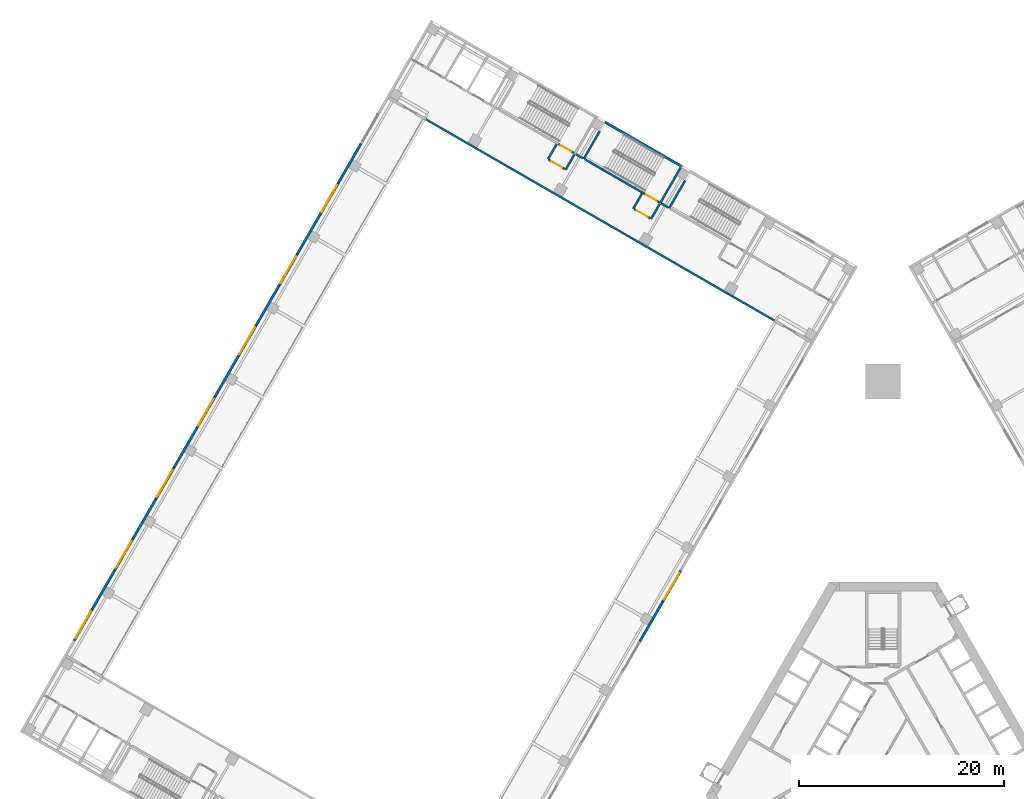
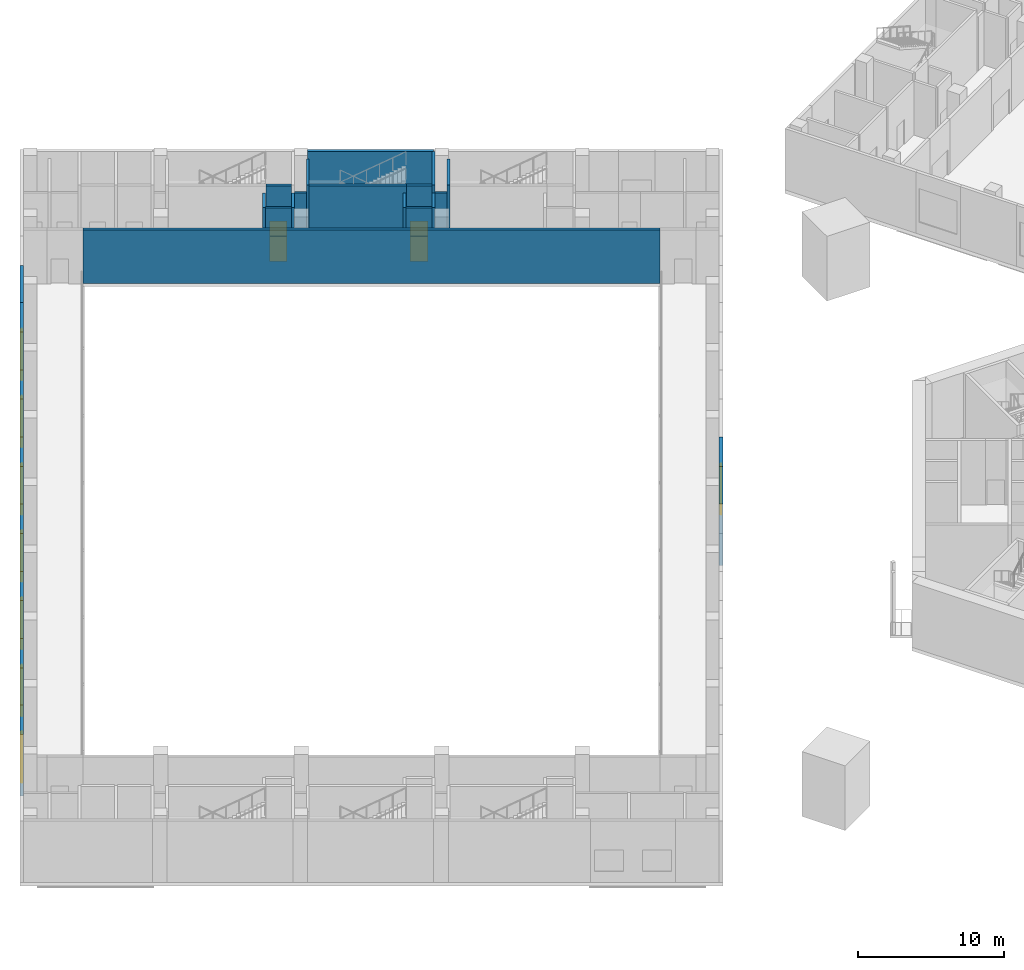
# One storey, part 16 of 35: 32 walls, 8 windows, 4 doors, 12 openings.
"""IFC4 building model written with IfcOpenShell, lengths in metres."""

from ifc_helpers import new_model, si_unit, direction, frame, frame_2d, origin, place, context, subcontext, project, spatial, rectangle, extrude, material, layer, layer_set, type_object, element, fill, save


model = new_model("IFC4")

# Units and contexts
model_context = context("Model", 3, precision=1e-05, world=origin(), true_north=direction((0.0, 1.0)))
body_context = subcontext(model_context, "Body", "Model", "MODEL_VIEW")
ifc_project = project(units=[si_unit("LENGTHUNIT", "METRE"), si_unit("AREAUNIT", "SQUARE_METRE"), si_unit("VOLUMEUNIT", "CUBIC_METRE"), si_unit("PLANEANGLEUNIT", "RADIAN"), si_unit("MASSUNIT", "GRAM", prefix="KILO")], contexts=[model_context])

# Site, building, storey
site_placement = place(None, origin())
site = spatial("IfcSite", under=ifc_project, at=site_placement, CompositionType="ELEMENT")
building_placement = place(site_placement, origin())
building = spatial("IfcBuilding", under=site, at=building_placement, Name="Mestral Congress Tower", CompositionType="ELEMENT")
storey_placement = place(building_placement, frame((0.0, 0.0, 6.0)))
storey = spatial("IfcBuildingStorey", under=building, at=storey_placement, Name="L01", CompositionType="ELEMENT", Elevation=6.0)

# Wall, opening, window
ifc_material_1 = material(Name="Precast concrete C40/50 with limestone facing", Category="masonry")
ifc_layer_1 = layer(ifc_material_1, 0.25)
ifc_layer_set_1 = layer_set([ifc_layer_1], Name="Precast concrete C40/50 with limestone facing")
wall_type_1 = type_object("IfcWallType", Name="Podium external wall 250", PredefinedType="SOLIDWALL", material=ifc_layer_set_1)
wall_1_placement = place(storey_placement, frame((-19.6875, 18.006103515625, 0.0), z_axis=(0.0, 0.0, 1.0), x_axis=(-0.500010275428, -0.866019471182, 0.0)))
wall_1 = element("IfcWall", 1, at=wall_1_placement, inside=storey, type_object=wall_type_1, Name="L01 external wall", PredefinedType="SOLIDWALL", context=body_context, shape_type="SweptSolid", body=[
    extrude(rectangle(XDim=3.5, YDim=0.25, at=frame_2d((1.75, 0.0))), origin(), (0.0, 0.0, 1.0), 5.10009765625),
])
opening_1_placement = place(wall_1_placement, frame((0.25, 0.0, 0.89990234375)))
opening_1 = element("IfcOpeningElement", 2, at=opening_1_placement, cuts=wall_1, Name="Opening PW-3000x2200", PredefinedType="OPENING", context=body_context, shape_type="SweptSolid", body=[
    extrude(rectangle(XDim=3.0, YDim=2.199951171875, at=frame_2d((1.5, 1.10009765625))), frame((0.0, 0.135009765625, 0.0), z_axis=(0.0, -1.0, 0.0), x_axis=(1.0, 0.0, 0.0)), (0.0, 0.0, 1.0), 0.27001953125),
])
ifc_material_2 = material(Name="Aluminium frame, clear double glazing", Category="aluminium")
window_type = type_object("IfcWindowType", Name="Podium window 3000x2200 sill 900", PartitioningType="SINGLE_PANEL", PredefinedType="WINDOW", material=ifc_material_2)
window_1_placement = place(opening_1_placement, origin())
window_1 = element("IfcWindow", 3, at=window_1_placement, inside=storey, type_object=window_type, Name="Window", OverallHeight=2.199951171875, OverallWidth=3.0, PartitioningType="SINGLE_PANEL", PredefinedType="WINDOW", context=body_context, shape_type="SweptSolid", body=[
    extrude(rectangle(XDim=3.0, YDim=2.199951171875, at=frame_2d((1.5, 1.10009765625))), frame((0.0, 0.030029296875, 0.0), z_axis=(0.0, -1.0, 0.0), x_axis=(1.0, 0.0, 0.0)), (0.0, 0.0, 1.0), 0.06005859375),
])
fill(opening_1, window_1)

# Walls
wall_2_placement = place(storey_placement, frame((-21.4375, 14.97509765625, 0.0), z_axis=(0.0, 0.0, 1.0), x_axis=(-0.499990139034, -0.866031096941, 0.0)))
element("IfcWall", 4, at=wall_2_placement, inside=storey, type_object=wall_type_1, Name="L01 external wall", PredefinedType="SOLIDWALL", context=body_context, shape_type="SweptSolid", body=[
    extrude(rectangle(XDim=4.5, YDim=0.25, at=frame_2d((2.25, 0.0))), origin(), (0.0, 0.0, 1.0), 5.10009765625),
])
wall_3_placement = place(storey_placement, frame((-53.040283203125, 55.737548828125, 0.0), z_axis=(0.0, 0.0, 1.0), x_axis=(0.499990705068, 0.866030770149, 0.0)))
element("IfcWall", 5, at=wall_3_placement, inside=storey, type_object=wall_type_1, Name="L01 external wall", PredefinedType="SOLIDWALL", context=body_context, shape_type="SweptSolid", body=[
    extrude(rectangle(XDim=4.43798828125, YDim=0.25, at=frame_2d((2.218994140625, 0.0))), origin(), (0.0, 0.0, 1.0), 5.10009765625),
])

# Wall, opening, window
wall_4_placement = place(storey_placement, frame((-54.790283203125, 52.706298828125, 0.0), z_axis=(0.0, 0.0, 1.0), x_axis=(0.499980071345, 0.866036909293, 0.0)))
wall_4 = element("IfcWall", 6, at=wall_4_placement, inside=storey, type_object=wall_type_1, Name="L01 external wall", PredefinedType="SOLIDWALL", context=body_context, shape_type="SweptSolid", body=[
    extrude(rectangle(XDim=3.500244140625, YDim=0.25, at=frame_2d((1.75, 0.0))), origin(), (0.0, 0.0, 1.0), 5.10009765625),
])
opening_2_placement = place(wall_4_placement, frame((0.25, 0.0, 0.89990234375)))
opening_2 = element("IfcOpeningElement", 7, at=opening_2_placement, cuts=wall_4, Name="Opening PW-3000x2200", PredefinedType="OPENING", context=body_context, shape_type="SweptSolid", body=[
    extrude(rectangle(XDim=3.0, YDim=2.199951171875, at=frame_2d((1.5, 1.10009765625))), frame((0.0, 0.135009765625, 0.0), z_axis=(0.0, -1.0, 0.0), x_axis=(1.0, 0.0, 0.0)), (0.0, 0.0, 1.0), 0.27001953125),
])
window_2_placement = place(opening_2_placement, origin())
window_2 = element("IfcWindow", 8, at=window_2_placement, inside=storey, type_object=window_type, Name="Window", OverallHeight=2.199951171875, OverallWidth=3.0, PartitioningType="SINGLE_PANEL", PredefinedType="WINDOW", context=body_context, shape_type="SweptSolid", body=[
    extrude(rectangle(XDim=3.0, YDim=2.199951171875, at=frame_2d((1.5, 1.10009765625))), frame((0.0, 0.030029296875, 0.0), z_axis=(0.0, -1.0, 0.0), x_axis=(1.0, 0.0, 0.0)), (0.0, 0.0, 1.0), 0.06005859375),
])
fill(opening_2, window_2)

# Wall
wall_5_placement = place(storey_placement, frame((-57.040283203125, 48.809326171875, 0.0), z_axis=(0.0, 0.0, 1.0), x_axis=(0.500013631625, 0.866017533419, 0.0)))
element("IfcWall", 9, at=wall_5_placement, inside=storey, type_object=wall_type_1, Name="L01 external wall", PredefinedType="SOLIDWALL", context=body_context, shape_type="SweptSolid", body=[
    extrude(rectangle(XDim=4.499755859375, YDim=0.25, at=frame_2d((2.25, 0.0))), origin(), (0.0, 0.0, 1.0), 5.10009765625),
])

# Wall, opening, window
wall_6_placement = place(storey_placement, frame((-58.790283203125, 45.7783203125, 0.0), z_axis=(0.0, 0.0, 1.0), x_axis=(0.500010275428, 0.866019471182, 0.0)))
wall_6 = element("IfcWall", 10, at=wall_6_placement, inside=storey, type_object=wall_type_1, Name="L01 external wall", PredefinedType="SOLIDWALL", context=body_context, shape_type="SweptSolid", body=[
    extrude(rectangle(XDim=3.5, YDim=0.25, at=frame_2d((1.75, 0.0))), origin(), (0.0, 0.0, 1.0), 5.10009765625),
])
opening_3_placement = place(wall_6_placement, frame((0.25, 0.0, 0.89990234375)))
opening_3 = element("IfcOpeningElement", 11, at=opening_3_placement, cuts=wall_6, Name="Opening PW-3000x2200", PredefinedType="OPENING", context=body_context, shape_type="SweptSolid", body=[
    extrude(rectangle(XDim=3.0, YDim=2.199951171875, at=frame_2d((1.5, 1.10009765625))), frame((0.0, 0.135009765625, 0.0), z_axis=(0.0, -1.0, 0.0), x_axis=(1.0, 0.0, 0.0)), (0.0, 0.0, 1.0), 0.27001953125),
])
window_3_placement = place(opening_3_placement, origin())
window_3 = element("IfcWindow", 12, at=window_3_placement, inside=storey, type_object=window_type, Name="Window", OverallHeight=2.199951171875, OverallWidth=3.0, PartitioningType="SINGLE_PANEL", PredefinedType="WINDOW", context=body_context, shape_type="SweptSolid", body=[
    extrude(rectangle(XDim=3.0, YDim=2.199951171875, at=frame_2d((1.5, 1.10009765625))), frame((0.0, 0.030029296875, 0.0), z_axis=(0.0, -1.0, 0.0), x_axis=(1.0, 0.0, 0.0)), (0.0, 0.0, 1.0), 0.06005859375),
])
fill(opening_3, window_3)

# Wall
wall_7_placement = place(storey_placement, frame((-61.040283203125, 41.881103515625, 0.0), z_axis=(0.0, 0.0, 1.0), x_axis=(0.499990139034, 0.866031096941, 0.0)))
element("IfcWall", 13, at=wall_7_placement, inside=storey, type_object=wall_type_1, Name="L01 external wall", PredefinedType="SOLIDWALL", context=body_context, shape_type="SweptSolid", body=[
    extrude(rectangle(XDim=4.5, YDim=0.25, at=frame_2d((2.25, 0.0))), origin(), (0.0, 0.0, 1.0), 5.10009765625),
])

# Wall, opening, window
wall_8_placement = place(storey_placement, frame((-62.790283203125, 38.85009765625, 0.0), z_axis=(0.0, 0.0, 1.0), x_axis=(0.500010275428, 0.866019471182, 0.0)))
wall_8 = element("IfcWall", 14, at=wall_8_placement, inside=storey, type_object=wall_type_1, Name="L01 external wall", PredefinedType="SOLIDWALL", context=body_context, shape_type="SweptSolid", body=[
    extrude(rectangle(XDim=3.5, YDim=0.25, at=frame_2d((1.75, 0.0))), origin(), (0.0, 0.0, 1.0), 5.10009765625),
])
opening_4_placement = place(wall_8_placement, frame((0.25, 0.0, 0.89990234375)))
opening_4 = element("IfcOpeningElement", 15, at=opening_4_placement, cuts=wall_8, Name="Opening PW-3000x2200", PredefinedType="OPENING", context=body_context, shape_type="SweptSolid", body=[
    extrude(rectangle(XDim=3.0, YDim=2.199951171875, at=frame_2d((1.5, 1.10009765625))), frame((0.0, 0.135009765625, 0.0), z_axis=(0.0, -1.0, 0.0), x_axis=(1.0, 0.0, 0.0)), (0.0, 0.0, 1.0), 0.27001953125),
])
window_4_placement = place(opening_4_placement, origin())
window_4 = element("IfcWindow", 16, at=window_4_placement, inside=storey, type_object=window_type, Name="Window", OverallHeight=2.199951171875, OverallWidth=3.0, PartitioningType="SINGLE_PANEL", PredefinedType="WINDOW", context=body_context, shape_type="SweptSolid", body=[
    extrude(rectangle(XDim=3.0, YDim=2.199951171875, at=frame_2d((1.5, 1.10009765625))), frame((0.0, 0.030029296875, 0.0), z_axis=(0.0, -1.0, 0.0), x_axis=(1.0, 0.0, 0.0)), (0.0, 0.0, 1.0), 0.06005859375),
])
fill(opening_4, window_4)

# Wall
wall_9_placement = place(storey_placement, frame((-65.040283203125, 34.952880859375, 0.0), z_axis=(0.0, 0.0, 1.0), x_axis=(0.499990139034, 0.866031096941, 0.0)))
element("IfcWall", 17, at=wall_9_placement, inside=storey, type_object=wall_type_1, Name="L01 external wall", PredefinedType="SOLIDWALL", context=body_context, shape_type="SweptSolid", body=[
    extrude(rectangle(XDim=4.5, YDim=0.25, at=frame_2d((2.25, 0.0))), origin(), (0.0, 0.0, 1.0), 5.10009765625),
])

# Wall, opening, window
wall_10_placement = place(storey_placement, frame((-66.790283203125, 31.921875, 0.0), z_axis=(0.0, 0.0, 1.0), x_axis=(0.500010275428, 0.866019471182, 0.0)))
wall_10 = element("IfcWall", 18, at=wall_10_placement, inside=storey, type_object=wall_type_1, Name="L01 external wall", PredefinedType="SOLIDWALL", context=body_context, shape_type="SweptSolid", body=[
    extrude(rectangle(XDim=3.5, YDim=0.25, at=frame_2d((1.75, 0.0))), origin(), (0.0, 0.0, 1.0), 5.10009765625),
])
opening_5_placement = place(wall_10_placement, frame((0.25, 0.0, 0.89990234375)))
opening_5 = element("IfcOpeningElement", 19, at=opening_5_placement, cuts=wall_10, Name="Opening PW-3000x2200", PredefinedType="OPENING", context=body_context, shape_type="SweptSolid", body=[
    extrude(rectangle(XDim=3.0, YDim=2.199951171875, at=frame_2d((1.5, 1.10009765625))), frame((0.0, 0.135009765625, 0.0), z_axis=(0.0, -1.0, 0.0), x_axis=(1.0, 0.0, 0.0)), (0.0, 0.0, 1.0), 0.27001953125),
])
window_5_placement = place(opening_5_placement, origin())
window_5 = element("IfcWindow", 20, at=window_5_placement, inside=storey, type_object=window_type, Name="Window", OverallHeight=2.199951171875, OverallWidth=3.0, PartitioningType="SINGLE_PANEL", PredefinedType="WINDOW", context=body_context, shape_type="SweptSolid", body=[
    extrude(rectangle(XDim=3.0, YDim=2.199951171875, at=frame_2d((1.5, 1.10009765625))), frame((0.0, 0.030029296875, 0.0), z_axis=(0.0, -1.0, 0.0), x_axis=(1.0, 0.0, 0.0)), (0.0, 0.0, 1.0), 0.06005859375),
])
fill(opening_5, window_5)

# Wall
wall_11_placement = place(storey_placement, frame((-69.040283203125, 28.024658203125, 0.0), z_axis=(0.0, 0.0, 1.0), x_axis=(0.499990139034, 0.866031096941, 0.0)))
element("IfcWall", 21, at=wall_11_placement, inside=storey, type_object=wall_type_1, Name="L01 external wall", PredefinedType="SOLIDWALL", context=body_context, shape_type="SweptSolid", body=[
    extrude(rectangle(XDim=4.5, YDim=0.25, at=frame_2d((2.25, 0.0))), origin(), (0.0, 0.0, 1.0), 5.10009765625),
])

# Wall, opening, window
wall_12_placement = place(storey_placement, frame((-70.790283203125, 24.99365234375, 0.0), z_axis=(0.0, 0.0, 1.0), x_axis=(0.500010275428, 0.866019471182, 0.0)))
wall_12 = element("IfcWall", 22, at=wall_12_placement, inside=storey, type_object=wall_type_1, Name="L01 external wall", PredefinedType="SOLIDWALL", context=body_context, shape_type="SweptSolid", body=[
    extrude(rectangle(XDim=3.5, YDim=0.25, at=frame_2d((1.75, 0.0))), origin(), (0.0, 0.0, 1.0), 5.10009765625),
])
opening_6_placement = place(wall_12_placement, frame((0.25, 0.0, 0.89990234375)))
opening_6 = element("IfcOpeningElement", 23, at=opening_6_placement, cuts=wall_12, Name="Opening PW-3000x2200", PredefinedType="OPENING", context=body_context, shape_type="SweptSolid", body=[
    extrude(rectangle(XDim=3.0, YDim=2.199951171875, at=frame_2d((1.5, 1.10009765625))), frame((0.0, 0.135009765625, 0.0), z_axis=(0.0, -1.0, 0.0), x_axis=(1.0, 0.0, 0.0)), (0.0, 0.0, 1.0), 0.27001953125),
])
window_6_placement = place(opening_6_placement, origin())
window_6 = element("IfcWindow", 24, at=window_6_placement, inside=storey, type_object=window_type, Name="Window", OverallHeight=2.199951171875, OverallWidth=3.0, PartitioningType="SINGLE_PANEL", PredefinedType="WINDOW", context=body_context, shape_type="SweptSolid", body=[
    extrude(rectangle(XDim=3.0, YDim=2.199951171875, at=frame_2d((1.5, 1.10009765625))), frame((0.0, 0.030029296875, 0.0), z_axis=(0.0, -1.0, 0.0), x_axis=(1.0, 0.0, 0.0)), (0.0, 0.0, 1.0), 0.06005859375),
])
fill(opening_6, window_6)

# Wall
wall_13_placement = place(storey_placement, frame((-73.040283203125, 21.096435546875, 0.0), z_axis=(0.0, 0.0, 1.0), x_axis=(0.499990139034, 0.866031096941, 0.0)))
element("IfcWall", 25, at=wall_13_placement, inside=storey, type_object=wall_type_1, Name="L01 external wall", PredefinedType="SOLIDWALL", context=body_context, shape_type="SweptSolid", body=[
    extrude(rectangle(XDim=4.5, YDim=0.25, at=frame_2d((2.25, 0.0))), origin(), (0.0, 0.0, 1.0), 5.10009765625),
])

# Wall, opening, window
wall_14_placement = place(storey_placement, frame((-74.790283203125, 18.0654296875, 0.0), z_axis=(0.0, 0.0, 1.0), x_axis=(0.500010275428, 0.866019471182, 0.0)))
wall_14 = element("IfcWall", 26, at=wall_14_placement, inside=storey, type_object=wall_type_1, Name="L01 external wall", PredefinedType="SOLIDWALL", context=body_context, shape_type="SweptSolid", body=[
    extrude(rectangle(XDim=3.5, YDim=0.25, at=frame_2d((1.75, 0.0))), origin(), (0.0, 0.0, 1.0), 5.10009765625),
])
opening_7_placement = place(wall_14_placement, frame((0.25, 0.0, 0.89990234375)))
opening_7 = element("IfcOpeningElement", 27, at=opening_7_placement, cuts=wall_14, Name="Opening PW-3000x2200", PredefinedType="OPENING", context=body_context, shape_type="SweptSolid", body=[
    extrude(rectangle(XDim=3.0, YDim=2.199951171875, at=frame_2d((1.5, 1.10009765625))), frame((0.0, 0.135009765625, 0.0), z_axis=(0.0, -1.0, 0.0), x_axis=(1.0, 0.0, 0.0)), (0.0, 0.0, 1.0), 0.27001953125),
])
window_7_placement = place(opening_7_placement, origin())
window_7 = element("IfcWindow", 28, at=window_7_placement, inside=storey, type_object=window_type, Name="Window", OverallHeight=2.199951171875, OverallWidth=3.0, PartitioningType="SINGLE_PANEL", PredefinedType="WINDOW", context=body_context, shape_type="SweptSolid", body=[
    extrude(rectangle(XDim=3.0, YDim=2.199951171875, at=frame_2d((1.5, 1.10009765625))), frame((0.0, 0.030029296875, 0.0), z_axis=(0.0, -1.0, 0.0), x_axis=(1.0, 0.0, 0.0)), (0.0, 0.0, 1.0), 0.06005859375),
])
fill(opening_7, window_7)

# Wall
wall_15_placement = place(storey_placement, frame((-77.00927734375, 14.221923828125, 0.0), z_axis=(0.0, 0.0, 1.0), x_axis=(0.499990705068, 0.866030770149, 0.0)))
element("IfcWall", 29, at=wall_15_placement, inside=storey, type_object=wall_type_1, Name="L01 external wall", PredefinedType="SOLIDWALL", context=body_context, shape_type="SweptSolid", body=[
    extrude(rectangle(XDim=4.43798828125, YDim=0.25, at=frame_2d((2.218994140625, 0.0))), origin(), (0.0, 0.0, 1.0), 5.10009765625),
])

# Wall, opening, window
wall_16_placement = place(storey_placement, frame((-78.75927734375, 11.19091796875, 0.0), z_axis=(0.0, 0.0, 1.0), x_axis=(0.500010275428, 0.866019471182, 0.0)))
wall_16 = element("IfcWall", 30, at=wall_16_placement, inside=storey, type_object=wall_type_1, Name="L01 external wall", PredefinedType="SOLIDWALL", context=body_context, shape_type="SweptSolid", body=[
    extrude(rectangle(XDim=3.5, YDim=0.25, at=frame_2d((1.75, 0.0))), origin(), (0.0, 0.0, 1.0), 5.10009765625),
])
opening_8_placement = place(wall_16_placement, frame((0.25, 0.0, 0.89990234375)))
opening_8 = element("IfcOpeningElement", 31, at=opening_8_placement, cuts=wall_16, Name="Opening PW-3000x2200", PredefinedType="OPENING", context=body_context, shape_type="SweptSolid", body=[
    extrude(rectangle(XDim=3.0, YDim=2.199951171875, at=frame_2d((1.5, 1.10009765625))), frame((0.0, 0.135009765625, 0.0), z_axis=(0.0, -1.0, 0.0), x_axis=(1.0, 0.0, 0.0)), (0.0, 0.0, 1.0), 0.27001953125),
])
window_8_placement = place(opening_8_placement, origin())
window_8 = element("IfcWindow", 32, at=window_8_placement, inside=storey, type_object=window_type, Name="Window", OverallHeight=2.199951171875, OverallWidth=3.0, PartitioningType="SINGLE_PANEL", PredefinedType="WINDOW", context=body_context, shape_type="SweptSolid", body=[
    extrude(rectangle(XDim=3.0, YDim=2.199951171875, at=frame_2d((1.5, 1.10009765625))), frame((0.0, 0.030029296875, 0.0), z_axis=(0.0, -1.0, 0.0), x_axis=(1.0, 0.0, 0.0)), (0.0, 0.0, 1.0), 0.06005859375),
])
fill(opening_8, window_8)

# Walls
wall_17_placement = place(storey_placement, frame((-27.068603515625, 61.671630859375, 0.0), z_axis=(0.0, 0.0, 1.0), x_axis=(0.866021068297, -0.500007509209, 0.0)))
element("IfcWall", 33, at=wall_17_placement, inside=storey, type_object=wall_type_1, Name="L01 external wall", PredefinedType="SOLIDWALL", context=body_context, shape_type="SweptSolid", body=[
    extrude(rectangle(XDim=8.599853515625, YDim=0.25, at=frame_2d((4.2998046875, 0.0))), origin(), (0.0, 0.0, 1.0), 5.10009765625),
])
ifc_material_3 = material(Name="Masonry block wall", Category="masonry")
ifc_layer_2 = layer(ifc_material_3, 0.199951171875)
ifc_layer_set_2 = layer_set([ifc_layer_2], Name="Masonry block wall")
wall_type_2 = type_object("IfcWallType", Name="Podium stair enclosure wall 200 EI 120 load-bearing", PredefinedType="SOLIDWALL", material=ifc_layer_set_2)
wall_18_placement = place(storey_placement, frame((-19.267333984375, 55.984130859375, 0.0), z_axis=(0.0, 0.0, 1.0), x_axis=(-0.49999285859, -0.86602952684, 0.0)))
element("IfcWall", 34, at=wall_18_placement, inside=storey, type_object=wall_type_2, Name="L01 partition", PredefinedType="SOLIDWALL", context=body_context, shape_type="SweptSolid", body=[
    extrude(rectangle(XDim=3.10009765625, YDim=0.199951171875, at=frame_2d((1.550048828125, 0.0))), origin(), (0.0, 0.0, 1.0), 5.10009765625),
])
wall_19_placement = place(storey_placement, frame((-19.683349609375, 57.263427734375, 0.0), z_axis=(0.0, 0.0, 1.0), x_axis=(-0.49999894854, -0.866026010844, 0.0)))
element("IfcWall", 35, at=wall_19_placement, inside=storey, type_object=wall_type_2, Name="L01 partition", PredefinedType="SOLIDWALL", context=body_context, shape_type="SweptSolid", body=[
    extrude(rectangle(XDim=4.0, YDim=0.199951171875, at=frame_2d((2.0, 0.0))), origin(), (0.0, 0.0, 1.0), 5.10009765625),
])
wall_20_placement = place(storey_placement, frame((-27.5810546875, 60.7841796875, 0.0), z_axis=(0.0, 0.0, 1.0), x_axis=(-0.49999285859, -0.86602952684, 0.0)))
element("IfcWall", 36, at=wall_20_placement, inside=storey, type_object=wall_type_2, Name="L01 partition", PredefinedType="SOLIDWALL", context=body_context, shape_type="SweptSolid", body=[
    extrude(rectangle(XDim=3.10009765625, YDim=0.199951171875, at=frame_2d((1.550048828125, 0.0))), origin(), (0.0, 0.0, 1.0), 5.10009765625),
])

# Wall, opening, door
wall_21_placement = place(storey_placement, frame((-23.285400390625, 54.724365234375, 0.0), z_axis=(0.0, 0.0, 1.0), x_axis=(0.866002029911, -0.500040482552, 0.0)))
wall_21 = element("IfcWall", 37, at=wall_21_placement, inside=storey, type_object=wall_type_2, Name="L01 partition", PredefinedType="SOLIDWALL", context=body_context, shape_type="SweptSolid", body=[
    extrude(rectangle(XDim=1.749755859375, YDim=0.199951171875, at=frame_2d((0.875, 0.0))), origin(), (0.0, 0.0, 1.0), 5.10009765625),
])
opening_9_placement = place(wall_21_placement, frame((0.25, 0.0, 0.0)))
opening_9 = element("IfcOpeningElement", 38, at=opening_9_placement, cuts=wall_21, Name="Opening P01-302", PredefinedType="OPENING", context=body_context, shape_type="SweptSolid", body=[
    extrude(rectangle(XDim=1.199951171875, YDim=2.10009765625, at=frame_2d((0.60009765625, 1.050048828125))), frame((0.0, 0.10986328125, 0.0), z_axis=(0.0, -1.0, 0.0), x_axis=(1.0, 0.0, 0.0)), (0.0, 0.0, 1.0), 0.219970703125),
])
ifc_material_4 = material(Name="Fire-rated steel door set", Category="steel")
door_type_1 = type_object("IfcDoorType", Name="Podium stair door 1200x2100 EI2 30-C5", OperationType="SINGLE_SWING_LEFT", PredefinedType="DOOR", material=ifc_material_4)
door_1_placement = place(opening_9_placement, origin())
door_1 = element("IfcDoor", 39, at=door_1_placement, inside=storey, type_object=door_type_1, Name="Door P01-302", OperationType="SINGLE_SWING_LEFT", OverallHeight=2.10009765625, OverallWidth=1.199951171875, PredefinedType="DOOR", context=body_context, shape_type="SweptSolid", body=[
    extrude(rectangle(XDim=1.199951171875, YDim=2.10009765625, at=frame_2d((0.60009765625, 1.050048828125))), frame((0.0, 0.02490234375, 0.0), z_axis=(0.0, -1.0, 0.0), x_axis=(1.0, 0.0, 0.0)), (0.0, 0.0, 1.0), 0.050048828125),
])
fill(opening_9, door_1)

# Wall
wall_22_placement = place(storey_placement, frame((-23.285400390625, 54.724365234375, 0.0), z_axis=(0.0, 0.0, 1.0), x_axis=(-0.866027239912, 0.49999681972, 0.0)))
element("IfcWall", 40, at=wall_22_placement, inside=storey, type_object=wall_type_2, Name="L01 partition", PredefinedType="SOLIDWALL", context=body_context, shape_type="SweptSolid", body=[
    extrude(rectangle(XDim=6.64990234375, YDim=0.199951171875, at=frame_2d((3.324951171875, 0.0))), origin(), (0.0, 0.0, 1.0), 5.10009765625),
])

# Wall, opening, door
wall_23_placement = place(storey_placement, frame((-31.599365234375, 59.5244140625, 0.0), z_axis=(0.0, 0.0, 1.0), x_axis=(0.866036909293, -0.499980071345, 0.0)))
wall_23 = element("IfcWall", 41, at=wall_23_placement, inside=storey, type_object=wall_type_2, Name="L01 partition", PredefinedType="SOLIDWALL", context=body_context, shape_type="SweptSolid", body=[
    extrude(rectangle(XDim=1.75, YDim=0.199951171875, at=frame_2d((0.875, 0.0))), origin(), (0.0, 0.0, 1.0), 5.10009765625),
])
opening_10_placement = place(wall_23_placement, frame((0.25, 0.0, 0.0)))
opening_10 = element("IfcOpeningElement", 42, at=opening_10_placement, cuts=wall_23, Name="Opening P01-303", PredefinedType="OPENING", context=body_context, shape_type="SweptSolid", body=[
    extrude(rectangle(XDim=1.199951171875, YDim=2.10009765625, at=frame_2d((0.60009765625, 1.050048828125))), frame((0.0, 0.10986328125, 0.0), z_axis=(0.0, -1.0, 0.0), x_axis=(1.0, 0.0, 0.0)), (0.0, 0.0, 1.0), 0.219970703125),
])
door_2_placement = place(opening_10_placement, origin())
door_2 = element("IfcDoor", 43, at=door_2_placement, inside=storey, type_object=door_type_1, Name="Door P01-303", OperationType="SINGLE_SWING_LEFT", OverallHeight=2.10009765625, OverallWidth=1.199951171875, PredefinedType="DOOR", context=body_context, shape_type="SweptSolid", body=[
    extrude(rectangle(XDim=1.199951171875, YDim=2.10009765625, at=frame_2d((0.60009765625, 1.050048828125))), frame((0.0, 0.02490234375, 0.0), z_axis=(0.0, -1.0, 0.0), x_axis=(1.0, 0.0, 0.0)), (0.0, 0.0, 1.0), 0.050048828125),
])
fill(opening_10, door_2)

# Walls
ifc_material_5 = material(Name="Fire-rated board partition")
ifc_layer_3 = layer(ifc_material_5, 0.199951171875)
ifc_layer_set_3 = layer_set([ifc_layer_3], Name="Fire-rated board partition")
wall_type_3 = type_object("IfcWallType", Name="Podium vestibule wall 200 EI 120", PredefinedType="PARTITIONING", material=ifc_layer_set_3)
wall_24_placement = place(storey_placement, frame((-21.7333984375, 53.712890625, 0.0), z_axis=(0.0, 0.0, 1.0), x_axis=(-0.499892348375, -0.866087547558, 0.0)))
element("IfcWall", 44, at=wall_24_placement, inside=storey, type_object=wall_type_3, Name="L01 partition", PredefinedType="PARTITIONING", context=body_context, shape_type="SweptSolid", body=[
    extrude(rectangle(XDim=1.699951171875, YDim=0.199951171875, at=frame_2d((0.85009765625, 0.0))), origin(), (0.0, 0.0, 1.0), 4.5),
])
wall_25_placement = place(storey_placement, frame((-23.46533203125, 54.712890625, 0.0), z_axis=(0.0, 0.0, 1.0), x_axis=(-0.500000056704, -0.866025371046, 0.0)))
element("IfcWall", 45, at=wall_25_placement, inside=storey, type_object=wall_type_3, Name="L01 partition", PredefinedType="PARTITIONING", context=body_context, shape_type="SweptSolid", body=[
    extrude(rectangle(XDim=1.7001953125, YDim=0.199951171875, at=frame_2d((0.85009765625, 0.0))), origin(), (0.0, 0.0, 1.0), 4.5),
])
for number, where, z_axis, x_axis, name in (
    (46, (-30.047119140625, 58.5126953125, 0.0), (0.0, 0.0, 1.0), (-0.500062241894, -0.865989465428, 0.0), "L01 partition"),
    (47, (-31.779296875, 59.5126953125, 0.0), (0.0, 0.0, 1.0), (-0.499954529098, -0.86605165483, 0.0), "L01 partition"),
):
    element("IfcWall", number, at=place(storey_placement, frame(where, z_axis=z_axis, x_axis=x_axis)), inside=storey, type_object=wall_type_3, Name=name, PredefinedType="PARTITIONING", context=body_context, shape_type="SweptSolid", body=[
        extrude(rectangle(XDim=1.699951171875, YDim=0.199951171875, at=frame_2d((0.85009765625, 0.0))), origin(), (0.0, 0.0, 1.0), 4.5),
    ])

# Wall, opening, door
wall_26_placement = place(storey_placement, frame((-24.228759765625, 53.1904296875, 0.0), z_axis=(0.0, 0.0, 1.0), x_axis=(0.866047807691, -0.499961193289, 0.0)))
wall_26 = element("IfcWall", 48, at=wall_26_placement, inside=storey, type_object=wall_type_3, Name="L01 partition", PredefinedType="PARTITIONING", context=body_context, shape_type="SweptSolid", body=[
    extrude(rectangle(XDim=1.800048828125, YDim=0.199951171875, at=frame_2d((0.89990234375, 0.0))), origin(), (0.0, 0.0, 1.0), 4.5),
])
opening_11_placement = place(wall_26_placement, frame((0.300048828125, 0.0, 0.0)))
opening_11 = element("IfcOpeningElement", 49, at=opening_11_placement, cuts=wall_26, Name="Opening P01-312", PredefinedType="OPENING", context=body_context, shape_type="SweptSolid", body=[
    extrude(rectangle(XDim=1.199951171875, YDim=2.10009765625, at=frame_2d((0.60009765625, 1.050048828125))), frame((0.0, 0.10986328125, 0.0), z_axis=(0.0, -1.0, 0.0), x_axis=(1.0, 0.0, 0.0)), (0.0, 0.0, 1.0), 0.219970703125),
])
door_type_2 = type_object("IfcDoorType", Name="Podium vestibule door 1200x2100 EI2 30-C5", OperationType="SINGLE_SWING_LEFT", PredefinedType="DOOR", material=ifc_material_4)
door_3_placement = place(opening_11_placement, origin())
door_3 = element("IfcDoor", 50, at=door_3_placement, inside=storey, type_object=door_type_2, Name="Door P01-312", OperationType="SINGLE_SWING_LEFT", OverallHeight=2.10009765625, OverallWidth=1.199951171875, PredefinedType="DOOR", context=body_context, shape_type="SweptSolid", body=[
    extrude(rectangle(XDim=1.199951171875, YDim=2.10009765625, at=frame_2d((0.60009765625, 1.050048828125))), frame((0.0, 0.02490234375, 0.0), z_axis=(0.0, -1.0, 0.0), x_axis=(1.0, 0.0, 0.0)), (0.0, 0.0, 1.0), 0.050048828125),
])
fill(opening_11, door_3)

wall_27_placement = place(storey_placement, frame((-32.54248046875, 57.990478515625, 0.0), z_axis=(0.0, 0.0, 1.0), x_axis=(0.866047807691, -0.499961193289, 0.0)))
wall_27 = element("IfcWall", 51, at=wall_27_placement, inside=storey, type_object=wall_type_3, Name="L01 partition", PredefinedType="PARTITIONING", context=body_context, shape_type="SweptSolid", body=[
    extrude(rectangle(XDim=1.800048828125, YDim=0.199951171875, at=frame_2d((0.89990234375, 0.0))), origin(), (0.0, 0.0, 1.0), 4.5),
])
opening_12_placement = place(wall_27_placement, frame((0.300048828125, 0.0, 0.0)))
opening_12 = element("IfcOpeningElement", 52, at=opening_12_placement, cuts=wall_27, Name="Opening P01-313", PredefinedType="OPENING", context=body_context, shape_type="SweptSolid", body=[
    extrude(rectangle(XDim=1.199951171875, YDim=2.10009765625, at=frame_2d((0.60009765625, 1.050048828125))), frame((0.0, 0.10986328125, 0.0), z_axis=(0.0, -1.0, 0.0), x_axis=(1.0, 0.0, 0.0)), (0.0, 0.0, 1.0), 0.219970703125),
])
door_4_placement = place(opening_12_placement, origin())
door_4 = element("IfcDoor", 53, at=door_4_placement, inside=storey, type_object=door_type_2, Name="Door P01-313", OperationType="SINGLE_SWING_LEFT", OverallHeight=2.10009765625, OverallWidth=1.199951171875, PredefinedType="DOOR", context=body_context, shape_type="SweptSolid", body=[
    extrude(rectangle(XDim=1.199951171875, YDim=2.10009765625, at=frame_2d((0.60009765625, 1.050048828125))), frame((0.0, 0.02490234375, 0.0), z_axis=(0.0, -1.0, 0.0), x_axis=(1.0, 0.0, 0.0)), (0.0, 0.0, 1.0), 0.050048828125),
])
fill(opening_12, door_4)

# Walls
wall_28_placement = place(storey_placement, frame((-20.90380859375, 53.349365234375, 0.0), z_axis=(0.0, 0.0, 1.0), x_axis=(-0.865961984968, 0.500109828528, 0.0)))
element("IfcWall", 54, at=wall_28_placement, inside=storey, type_object=wall_type_3, Name="L01 partition", PredefinedType="PARTITIONING", context=body_context, shape_type="SweptSolid", body=[
    extrude(rectangle(XDim=0.800048828125, YDim=0.199951171875, at=frame_2d((0.39990234375, 0.0))), origin(), (0.0, 0.0, 1.0), 4.5),
])
wall_29_placement = place(storey_placement, frame((-29.2177734375, 58.1494140625, 0.0), z_axis=(0.0, 0.0, 1.0), x_axis=(-0.866017831539, 0.500013115284, 0.0)))
element("IfcWall", 55, at=wall_29_placement, inside=storey, type_object=wall_type_3, Name="L01 partition", PredefinedType="PARTITIONING", context=body_context, shape_type="SweptSolid", body=[
    extrude(rectangle(XDim=0.7998046875, YDim=0.199951171875, at=frame_2d((0.39990234375, 0.0))), origin(), (0.0, 0.0, 1.0), 4.5),
])
wall_30_placement = place(storey_placement, frame((-10.49072265625, 42.285400390625, 0.0), z_axis=(0.0, 0.0, 1.0), x_axis=(-0.866022857395, 0.50000441045, 0.0)))
element("IfcWall", 56, at=wall_30_placement, inside=storey, type_object=wall_type_3, Name="L01 partition", PredefinedType="PARTITIONING", context=body_context, shape_type="SweptSolid", body=[
    extrude(rectangle(XDim=39.400146484375, YDim=0.199951171875, at=frame_2d((19.7001953125, 0.0))), origin(), (0.0, 0.0, 1.0), 4.5),
])

save(model, "model.ifc")
